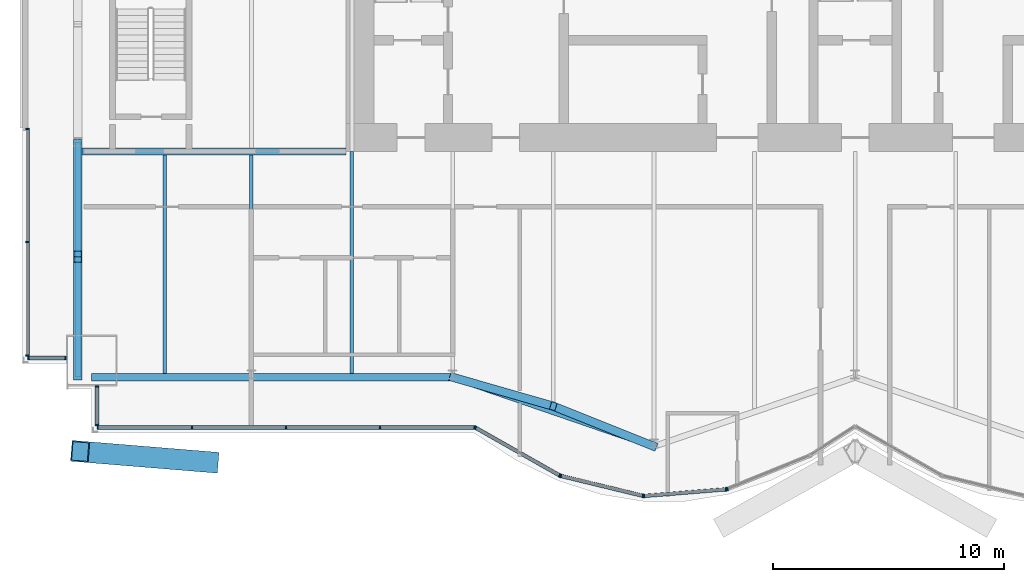
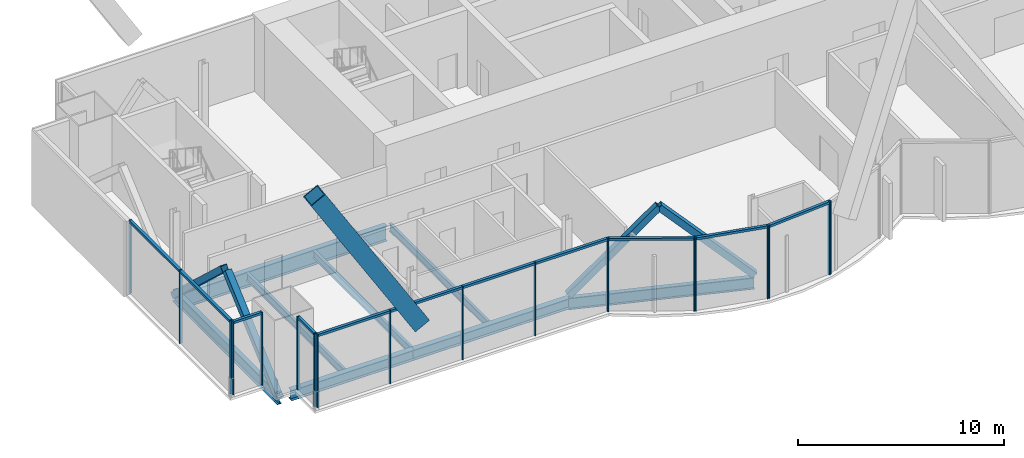
# One storey, part 3 of 17: 35 members, 8 beams, 5 elements without a shape of their own.
"""IFC4 building model written with IfcOpenShell, lengths in metres."""

from ifc_helpers import new_model, si_unit, direction, frame, origin, origin_2d, place, context, subcontext, project, spatial, rectangle, hollow_rectangle, i_section, extrude, material, material_profile, profile_set, type_object, element, aggregate, save


model = new_model("IFC4")

# Units and contexts
model_context = context("Model", 3, precision=1e-05, world=origin(), true_north=direction((0.0, 1.0)))
body_context = subcontext(model_context, "Body", "Model", "MODEL_VIEW")
ifc_project = project(units=[si_unit("LENGTHUNIT", "METRE"), si_unit("AREAUNIT", "SQUARE_METRE"), si_unit("VOLUMEUNIT", "CUBIC_METRE"), si_unit("PLANEANGLEUNIT", "RADIAN"), si_unit("MASSUNIT", "GRAM", prefix="KILO")], contexts=[model_context])

# Site, building, storey
site_placement = place(None, origin())
site = spatial("IfcSite", under=ifc_project, at=site_placement, CompositionType="ELEMENT")
building_placement = place(site_placement, origin())
building = spatial("IfcBuilding", under=site, at=building_placement, Name="Bicima Exchange Tower", CompositionType="ELEMENT")
storey_placement = place(building_placement, frame((0.0, 0.0, 333.5)))
storey = spatial("IfcBuildingStorey", under=building, at=storey_placement, Name="L75", CompositionType="ELEMENT", Elevation=333.5)

# Beam
ifc_material_1 = material(Name="Steel ASTM A992 Gr 50", Category="steel")
ifc_material_profile_1 = material_profile(ifc_material_1, i_section(OverallWidth=0.3046875, OverallDepth=0.911865234375, WebThickness=0.015869140625, FlangeThickness=0.02392578125, at=origin_2d()))
ifc_profile_set_1 = profile_set([ifc_material_profile_1], Name="Steel ASTM A992 Gr 50")
beam_type_1 = type_object("IfcBeamType", Name="Core-line girder W36x150", PredefinedType="BEAM", material=ifc_profile_set_1)
beam_1_placement = place(storey_placement, frame((-22.0, -13.0, -0.60595703125), z_axis=(-1.0, 0.0, 0.0), x_axis=(0.0, -1.0, 0.0)))
element("IfcBeam", 1, at=beam_1_placement, inside=storey, type_object=beam_type_1, Name="Core-line girder", PredefinedType="BEAM", context=body_context, shape_type="SweptSolid", body=[
    extrude(i_section(OverallWidth=0.3046875, OverallDepth=0.911865234375, WebThickness=0.015869140625, FlangeThickness=0.02392578125, at=origin_2d()), origin(), (0.0, 0.0, 1.0), 11.60009765625),
])

# Curtain wall, members
ifc_material_2 = material(Name="Anodised bronze aluminium", Category="aluminium")
curtain_wall_type_1 = type_object("IfcCurtainWallType", Name="End face glass wall", PredefinedType="NOTDEFINED", material=ifc_material_2)
curtain_wall_1_placement = place(storey_placement, origin())
curtain_wall_1 = element("IfcCurtainWall", 2, at=curtain_wall_1_placement, inside=storey, type_object=curtain_wall_type_1, Name="End face glass wall L75 run 2", PredefinedType="NOTDEFINED")
ifc_material_profile_2 = material_profile(ifc_material_2, rectangle(XDim=0.159912109375, YDim=0.06005859375, at=origin_2d()))
ifc_profile_set_2 = profile_set([ifc_material_profile_2], Name="Anodised bronze aluminium")
member_type_1 = type_object("IfcMemberType", Name="End face glass wall mullion 60 x 160", PredefinedType="MULLION", material=ifc_profile_set_2)
member_1_placement = place(storey_placement, frame((-35.77001953125, -12.030029296875, 0.0), z_axis=(0.0, 0.0, 1.0), x_axis=(1.0, 0.0, 0.0)))
member_1 = element("IfcMember", 3, at=member_1_placement, type_object=member_type_1, Name="End face glass wall mullion 1", PredefinedType="MULLION", context=body_context, shape_type="SweptSolid", body=[
    extrude(rectangle(XDim=0.159912109375, YDim=0.06005859375, at=origin_2d()), origin(), (0.0, 0.0, 1.0), 4.35009765625),
])
member_2_placement = place(storey_placement, frame((-35.77001953125, -16.927001953125, 0.0), z_axis=(0.0, 0.0, 1.0), x_axis=(1.0, 0.0, 0.0)))
member_2 = element("IfcMember", 4, at=member_2_placement, type_object=member_type_1, Name="End face glass wall mullion 2", PredefinedType="MULLION", context=body_context, shape_type="SweptSolid", body=[
    extrude(rectangle(XDim=0.159912109375, YDim=0.06005859375, at=origin_2d()), origin(), (0.0, 0.0, 1.0), 4.35009765625),
])
member_3_placement = place(storey_placement, frame((-35.77001953125, -21.823974609375, 0.0), z_axis=(0.0, 0.0, 1.0), x_axis=(1.0, 0.0, 0.0)))
member_3 = element("IfcMember", 5, at=member_3_placement, type_object=member_type_1, Name="End face glass wall mullion 3", PredefinedType="MULLION", context=body_context, shape_type="SweptSolid", body=[
    extrude(rectangle(XDim=0.159912109375, YDim=0.06005859375, at=origin_2d()), origin(), (0.0, 0.0, 1.0), 4.35009765625),
])
ifc_material_profile_3 = material_profile(ifc_material_2, rectangle(XDim=0.159912109375, YDim=0.139892578125, at=origin_2d()))
ifc_profile_set_3 = profile_set([ifc_material_profile_3], Name="Anodised bronze aluminium")
member_type_2 = type_object("IfcMemberType", Name="End face glass wall transom 140 x 160", PredefinedType="USERDEFINED", material=ifc_profile_set_3)
member_4_placement = place(storey_placement, frame((-35.77001953125, -12.06005859375, 4.280029296875), z_axis=(0.0, -1.0, 0.0), x_axis=(1.0, 0.0, 0.0)))
member_4 = element("IfcMember", 6, at=member_4_placement, type_object=member_type_2, Name="End face glass wall transom 1.1", ObjectType="TRANSOM", PredefinedType="USERDEFINED", context=body_context, shape_type="SweptSolid", body=[
    extrude(rectangle(XDim=0.159912109375, YDim=0.139892578125, at=origin_2d()), origin(), (0.0, 0.0, 1.0), 4.8369140625),
])
member_5_placement = place(storey_placement, frame((-35.77001953125, -16.95703125, 4.280029296875), z_axis=(0.0, -1.0, 0.0), x_axis=(1.0, 0.0, 0.0)))
member_5 = element("IfcMember", 7, at=member_5_placement, type_object=member_type_2, Name="End face glass wall transom 2.1", ObjectType="TRANSOM", PredefinedType="USERDEFINED", context=body_context, shape_type="SweptSolid", body=[
    extrude(rectangle(XDim=0.159912109375, YDim=0.139892578125, at=origin_2d()), origin(), (0.0, 0.0, 1.0), 4.8369140625),
])
aggregate(curtain_wall_1, [member_1, member_2, member_3, member_4, member_5])

# Beam
ifc_material_profile_4 = material_profile(ifc_material_1, i_section(OverallWidth=0.256591796875, OverallDepth=0.693359375, WebThickness=0.014404296875, FlangeThickness=0.023681640625, at=origin_2d()))
ifc_profile_set_4 = profile_set([ifc_material_profile_4], Name="Steel ASTM A992 Gr 50")
beam_type_2 = type_object("IfcBeamType", Name="End girder W27x114", PredefinedType="BEAM", material=ifc_profile_set_4)
beam_2_placement = place(storey_placement, frame((-33.60009765625, -12.60009765625, -0.49658203125), z_axis=(0.0, -1.0, 0.0), x_axis=(1.0, 0.0, 0.0)))
element("IfcBeam", 8, at=beam_2_placement, inside=storey, type_object=beam_type_2, Name="End girder", PredefinedType="BEAM", context=body_context, shape_type="SweptSolid", body=[
    extrude(i_section(OverallWidth=0.256591796875, OverallDepth=0.693359375, WebThickness=0.014404296875, FlangeThickness=0.023681640625, at=origin_2d()), origin(), (0.0, 0.0, 1.0), 10.163818359375),
])

# Member
ifc_material_3 = material(Name="Steel ASTM A572 Gr 50", Category="steel")
ifc_material_profile_5 = material_profile(ifc_material_3, hollow_rectangle(XDim=0.89990234375, YDim=0.89990234375, WallThickness=0.050048828125, at=origin_2d()))
ifc_profile_set_5 = profile_set([ifc_material_profile_5], Name="Steel ASTM A572 Gr 50")
member_type_3 = type_object("IfcMemberType", Name="Exo mega brace BOX 900x900x50", PredefinedType="BRACE", material=ifc_profile_set_5)
member_6_placement = place(storey_placement, frame((-27.916748046875, -26.430419921875, 4.308349609375), z_axis=(-0.520756137154, 0.042491186844, 0.852647374157), x_axis=(-0.081324900282, -0.996687644447, 0.0)))
element("IfcMember", 9, at=member_6_placement, inside=storey, type_object=member_type_3, Name="Exo mega brace front", PredefinedType="BRACE", context=body_context, shape_type="SweptSolid", body=[
    extrude(hollow_rectangle(XDim=0.89990234375, YDim=0.89990234375, WallThickness=0.050048828125, at=origin_2d()), origin(), (0.0, 0.0, 1.0), 10.721435546875),
])

# Beams
ifc_material_profile_6 = material_profile(ifc_material_1, i_section(OverallWidth=0.15283203125, OverallDepth=0.45458984375, WebThickness=0.008056640625, FlangeThickness=0.013427734375, at=origin_2d()))
ifc_profile_set_6 = profile_set([ifc_material_profile_6], Name="Steel ASTM A992 Gr 50")
beam_type_3 = type_object("IfcBeamType", Name="Floor beam W18x40", PredefinedType="JOIST", material=ifc_profile_set_6)
for number, where, z_axis, x_axis, name in (
    (10, (-29.85009765625, -13.15234375, -0.377197265625), (0.0, -1.0, 0.0), (1.0, 0.0, 0.0), "Floor beam"),
    (11, (-26.10009765625, -13.15234375, -0.377197265625), (0.0, -1.0, 0.0), (1.0, 0.0, 0.0), "Floor beam"),
):
    element("IfcBeam", number, at=place(storey_placement, frame(where, z_axis=z_axis, x_axis=x_axis)), inside=storey, type_object=beam_type_3, Name=name, PredefinedType="JOIST", context=body_context, shape_type="SweptSolid", body=[
        extrude(i_section(OverallWidth=0.15283203125, OverallDepth=0.45458984375, WebThickness=0.008056640625, FlangeThickness=0.013427734375, at=origin_2d()), origin(), (0.0, 0.0, 1.0), 9.448974609375),
    ])
beam_3_placement = place(storey_placement, frame((-21.75, -13.0, -0.377197265625), z_axis=(0.0, -1.0, 0.0), x_axis=(1.0, 0.0, 0.0)))
element("IfcBeam", 12, at=beam_3_placement, inside=storey, type_object=beam_type_3, Name="Floor beam", PredefinedType="JOIST", context=body_context, shape_type="SweptSolid", body=[
    extrude(i_section(OverallWidth=0.15283203125, OverallDepth=0.45458984375, WebThickness=0.008056640625, FlangeThickness=0.013427734375, at=origin_2d()), origin(), (0.0, 0.0, 1.0), 9.601318359375),
])
ifc_material_profile_7 = material_profile(ifc_material_1, i_section(OverallWidth=0.3251953125, OverallDepth=0.612060546875, WebThickness=0.0126953125, FlangeThickness=0.01904296875, at=origin_2d()))
ifc_profile_set_7 = profile_set([ifc_material_profile_7], Name="Steel ASTM A992 Gr 50")
beam_type_4 = type_object("IfcBeamType", Name="Front girder W24x104", PredefinedType="BEAM", material=ifc_profile_set_7)
beam_4_placement = place(storey_placement, frame((-33.0, -22.763916015625, -0.4560546875), z_axis=(1.0, 0.0, 0.0), x_axis=(0.0, 1.0, 0.0)))
element("IfcBeam", 13, at=beam_4_placement, inside=storey, type_object=beam_type_4, Name="Front girder", PredefinedType="BEAM", context=body_context, shape_type="SweptSolid", body=[
    extrude(i_section(OverallWidth=0.3251953125, OverallDepth=0.612060546875, WebThickness=0.0126953125, FlangeThickness=0.01904296875, at=origin_2d()), origin(), (0.0, 0.0, 1.0), 6.89990234375),
])
beam_5_placement = place(storey_placement, frame((-26.10009765625, -22.763916015625, -0.4560546875), z_axis=(1.0, 0.0, 0.0), x_axis=(0.0, 1.0, 0.0)))
element("IfcBeam", 14, at=beam_5_placement, inside=storey, type_object=beam_type_4, Name="Front girder", PredefinedType="BEAM", context=body_context, shape_type="SweptSolid", body=[
    extrude(i_section(OverallWidth=0.3251953125, OverallDepth=0.612060546875, WebThickness=0.0126953125, FlangeThickness=0.01904296875, at=origin_2d()), origin(), (0.0, 0.0, 1.0), 8.7001953125),
])
beam_type_5 = type_object("IfcBeamType", Name="Front girder W27x114", PredefinedType="BEAM", material=ifc_profile_set_4)
beam_6_placement = place(storey_placement, frame((-17.39990234375, -22.763916015625, -0.49658203125), z_axis=(0.945666456746, -0.325138359143, 0.0), x_axis=(0.325138359143, 0.945666456746, 0.0)))
element("IfcBeam", 15, at=beam_6_placement, inside=storey, type_object=beam_type_5, Name="Front girder", PredefinedType="BEAM", context=body_context, shape_type="SweptSolid", body=[
    extrude(i_section(OverallWidth=0.256591796875, OverallDepth=0.693359375, WebThickness=0.014404296875, FlangeThickness=0.023681640625, at=origin_2d()), origin(), (0.0, 0.0, 1.0), 9.19970703125),
])

# Curtain wall, members
curtain_wall_type_2 = type_object("IfcCurtainWallType", Name="Front glass wall", PredefinedType="NOTDEFINED", material=ifc_material_2)
curtain_wall_2_placement = place(storey_placement, origin())
curtain_wall_2 = element("IfcCurtainWall", 16, at=curtain_wall_2_placement, inside=storey, type_object=curtain_wall_type_2, Name="Front glass wall L75 run 3", PredefinedType="NOTDEFINED")
member_type_4 = type_object("IfcMemberType", Name="Front glass wall mullion 60 x 160", PredefinedType="MULLION", material=ifc_profile_set_2)
member_7_placement = place(storey_placement, frame((-35.739990234375, -21.93408203125, 0.0), z_axis=(0.0, 0.0, 1.0), x_axis=(0.0, 1.0, 0.0)))
member_7 = element("IfcMember", 17, at=member_7_placement, type_object=member_type_4, Name="Front glass wall mullion 1", PredefinedType="MULLION", context=body_context, shape_type="SweptSolid", body=[
    extrude(rectangle(XDim=0.159912109375, YDim=0.06005859375, at=origin_2d()), origin(), (0.0, 0.0, 1.0), 4.35009765625),
])
member_8_placement = place(storey_placement, frame((-34.1298828125, -21.93408203125, 0.0), z_axis=(0.0, 0.0, 1.0), x_axis=(0.0, 1.0, 0.0)))
member_8 = element("IfcMember", 18, at=member_8_placement, type_object=member_type_4, Name="Front glass wall mullion 2", PredefinedType="MULLION", context=body_context, shape_type="SweptSolid", body=[
    extrude(rectangle(XDim=0.159912109375, YDim=0.06005859375, at=origin_2d()), origin(), (0.0, 0.0, 1.0), 4.35009765625),
])

curtain_wall_3_placement = place(storey_placement, origin())
curtain_wall_3 = element("IfcCurtainWall", 19, at=curtain_wall_3_placement, inside=storey, type_object=curtain_wall_type_2, Name="Front glass wall L75 run 4", PredefinedType="NOTDEFINED")
member_9_placement = place(storey_placement, frame((-32.77001953125, -23.172119140625, 0.0), z_axis=(0.0, 0.0, 1.0), x_axis=(1.0, 0.0, 0.0)))
member_9 = element("IfcMember", 20, at=member_9_placement, type_object=member_type_4, Name="Front glass wall mullion 1", PredefinedType="MULLION", context=body_context, shape_type="SweptSolid", body=[
    extrude(rectangle(XDim=0.159912109375, YDim=0.06005859375, at=origin_2d()), origin(), (0.0, 0.0, 1.0), 4.35009765625),
])
member_10_placement = place(storey_placement, frame((-32.77001953125, -24.823974609375, 0.0), z_axis=(0.0, 0.0, 1.0), x_axis=(1.0, 0.0, 0.0)))
member_10 = element("IfcMember", 21, at=member_10_placement, type_object=member_type_4, Name="Front glass wall mullion 2", PredefinedType="MULLION", context=body_context, shape_type="SweptSolid", body=[
    extrude(rectangle(XDim=0.159912109375, YDim=0.06005859375, at=origin_2d()), origin(), (0.0, 0.0, 1.0), 4.35009765625),
])

curtain_wall_4_placement = place(storey_placement, origin())
curtain_wall_4 = element("IfcCurtainWall", 22, at=curtain_wall_4_placement, inside=storey, type_object=curtain_wall_type_2, Name="Front glass wall L75 run 5", PredefinedType="NOTDEFINED")
member_11_placement = place(storey_placement, frame((-32.739990234375, -24.93408203125, 0.0), z_axis=(0.0, 0.0, 1.0), x_axis=(0.0, 1.0, 0.0)))
member_11 = element("IfcMember", 23, at=member_11_placement, type_object=member_type_4, Name="Front glass wall mullion 1", PredefinedType="MULLION", context=body_context, shape_type="SweptSolid", body=[
    extrude(rectangle(XDim=0.159912109375, YDim=0.06005859375, at=origin_2d()), origin(), (0.0, 0.0, 1.0), 4.35009765625),
])
member_12_placement = place(storey_placement, frame((-28.67041015625, -24.93408203125, 0.0), z_axis=(0.0, 0.0, 1.0), x_axis=(0.0, 1.0, 0.0)))
member_12 = element("IfcMember", 24, at=member_12_placement, type_object=member_type_4, Name="Front glass wall mullion 2", PredefinedType="MULLION", context=body_context, shape_type="SweptSolid", body=[
    extrude(rectangle(XDim=0.159912109375, YDim=0.06005859375, at=origin_2d()), origin(), (0.0, 0.0, 1.0), 4.35009765625),
])
member_13_placement = place(storey_placement, frame((-24.60107421875, -24.93408203125, 0.0), z_axis=(0.0, 0.0, 1.0), x_axis=(0.0, 1.0, 0.0)))
member_13 = element("IfcMember", 25, at=member_13_placement, type_object=member_type_4, Name="Front glass wall mullion 3", PredefinedType="MULLION", context=body_context, shape_type="SweptSolid", body=[
    extrude(rectangle(XDim=0.159912109375, YDim=0.06005859375, at=origin_2d()), origin(), (0.0, 0.0, 1.0), 4.35009765625),
])
member_14_placement = place(storey_placement, frame((-20.531494140625, -24.93408203125, 0.0), z_axis=(0.0, 0.0, 1.0), x_axis=(0.0, 1.0, 0.0)))
member_14 = element("IfcMember", 26, at=member_14_placement, type_object=member_type_4, Name="Front glass wall mullion 4", PredefinedType="MULLION", context=body_context, shape_type="SweptSolid", body=[
    extrude(rectangle(XDim=0.159912109375, YDim=0.06005859375, at=origin_2d()), origin(), (0.0, 0.0, 1.0), 4.35009765625),
])
member_15_placement = place(storey_placement, frame((-16.462158203125, -24.93408203125, 0.0), z_axis=(0.0, 0.0, 1.0), x_axis=(0.0, 1.0, 0.0)))
member_15 = element("IfcMember", 27, at=member_15_placement, type_object=member_type_4, Name="Front glass wall mullion 5", PredefinedType="MULLION", context=body_context, shape_type="SweptSolid", body=[
    extrude(rectangle(XDim=0.159912109375, YDim=0.06005859375, at=origin_2d()), origin(), (0.0, 0.0, 1.0), 4.35009765625),
])

curtain_wall_5_placement = place(storey_placement, origin())
curtain_wall_5 = element("IfcCurtainWall", 28, at=curtain_wall_5_placement, inside=storey, type_object=curtain_wall_type_2, Name="Front glass wall L75 run 6", PredefinedType="NOTDEFINED")
member_16_placement = place(storey_placement, frame((-16.406005859375, -24.94873046875, 0.0), z_axis=(0.0, 0.0, 1.0), x_axis=(0.493395449343, 0.869805110681, 0.0)))
member_16 = element("IfcMember", 29, at=member_16_placement, type_object=member_type_4, Name="Front glass wall mullion 1", PredefinedType="MULLION", context=body_context, shape_type="SweptSolid", body=[
    extrude(rectangle(XDim=0.159912109375, YDim=0.06005859375, at=origin_2d()), origin(), (0.0, 0.0, 1.0), 4.35009765625),
])
member_17_placement = place(storey_placement, frame((-12.7734375, -27.009521484375, 0.0), z_axis=(0.0, 0.0, 1.0), x_axis=(0.493395449343, 0.869805110681, 0.0)))
member_17 = element("IfcMember", 30, at=member_17_placement, type_object=member_type_4, Name="Front glass wall mullion 2", PredefinedType="MULLION", context=body_context, shape_type="SweptSolid", body=[
    extrude(rectangle(XDim=0.159912109375, YDim=0.06005859375, at=origin_2d()), origin(), (0.0, 0.0, 1.0), 4.35009765625),
])
member_18_placement = place(storey_placement, frame((-12.718017578125, -27.03125, 0.0), z_axis=(0.0, 0.0, 1.0), x_axis=(0.235681529503, 0.971830343553, 0.0)))
member_18 = element("IfcMember", 31, at=member_18_placement, type_object=member_type_4, Name="Front glass wall mullion 1", PredefinedType="MULLION", context=body_context, shape_type="SweptSolid", body=[
    extrude(rectangle(XDim=0.159912109375, YDim=0.06005859375, at=origin_2d()), origin(), (0.0, 0.0, 1.0), 4.35009765625),
])
member_19_placement = place(storey_placement, frame((-9.177490234375, -27.889892578125, 0.0), z_axis=(0.0, 0.0, 1.0), x_axis=(0.235681529503, 0.971830343553, 0.0)))
member_19 = element("IfcMember", 32, at=member_19_placement, type_object=member_type_4, Name="Front glass wall mullion 2", PredefinedType="MULLION", context=body_context, shape_type="SweptSolid", body=[
    extrude(rectangle(XDim=0.159912109375, YDim=0.06005859375, at=origin_2d()), origin(), (0.0, 0.0, 1.0), 4.35009765625),
])
member_20_placement = place(storey_placement, frame((-9.118408203125, -27.89453125, 0.0), z_axis=(0.0, 0.0, 1.0), x_axis=(-0.080588612633, 0.99674744821, 0.0)))
member_20 = element("IfcMember", 33, at=member_20_placement, type_object=member_type_4, Name="Front glass wall mullion 1", PredefinedType="MULLION", context=body_context, shape_type="SweptSolid", body=[
    extrude(rectangle(XDim=0.159912109375, YDim=0.06005859375, at=origin_2d()), origin(), (0.0, 0.0, 1.0), 4.35009765625),
])
member_21_placement = place(storey_placement, frame((-5.583984375, -27.60888671875, 0.0), z_axis=(0.0, 0.0, 1.0), x_axis=(-0.080588612633, 0.99674744821, 0.0)))
member_21 = element("IfcMember", 34, at=member_21_placement, type_object=member_type_4, Name="Front glass wall mullion 2", PredefinedType="MULLION", context=body_context, shape_type="SweptSolid", body=[
    extrude(rectangle(XDim=0.159912109375, YDim=0.06005859375, at=origin_2d()), origin(), (0.0, 0.0, 1.0), 4.35009765625),
])
member_22_placement = place(storey_placement, frame((-5.526123046875, -27.59521484375, 0.0), z_axis=(0.0, 0.0, 1.0), x_axis=(-0.374705304, 0.92714396679, 0.0)))
member_22 = element("IfcMember", 35, at=member_22_placement, type_object=member_type_4, Name="Front glass wall mullion 1", PredefinedType="MULLION", context=body_context, shape_type="SweptSolid", body=[
    extrude(rectangle(XDim=0.159912109375, YDim=0.06005859375, at=origin_2d()), origin(), (0.0, 0.0, 1.0), 4.35009765625),
])

# Member
member_type_5 = type_object("IfcMemberType", Name="Front glass wall transom 140 x 160", PredefinedType="USERDEFINED", material=ifc_profile_set_3)
member_23_placement = place(storey_placement, frame((-35.7099609375, -21.93408203125, 4.280029296875), z_axis=(1.0, 0.0, 0.0), x_axis=(0.0, 1.0, 0.0)))
member_23 = element("IfcMember", 36, at=member_23_placement, type_object=member_type_5, Name="Front glass wall transom 1.1", ObjectType="TRANSOM", PredefinedType="USERDEFINED", context=body_context, shape_type="SweptSolid", body=[
    extrude(rectangle(XDim=0.159912109375, YDim=0.139892578125, at=origin_2d()), origin(), (0.0, 0.0, 1.0), 1.550048828125),
])

aggregate(curtain_wall_2, [member_7, member_8, member_23])

member_24_placement = place(storey_placement, frame((-32.77001953125, -23.201904296875, 4.280029296875), z_axis=(0.0, -1.0, 0.0), x_axis=(1.0, 0.0, 0.0)))
member_24 = element("IfcMember", 37, at=member_24_placement, type_object=member_type_5, Name="Front glass wall transom 1.1", ObjectType="TRANSOM", PredefinedType="USERDEFINED", context=body_context, shape_type="SweptSolid", body=[
    extrude(rectangle(XDim=0.159912109375, YDim=0.139892578125, at=origin_2d()), origin(), (0.0, 0.0, 1.0), 1.592041015625),
])

aggregate(curtain_wall_3, [member_9, member_10, member_24])

member_25_placement = place(storey_placement, frame((-32.7099609375, -24.93408203125, 4.280029296875), z_axis=(1.0, 0.0, 0.0), x_axis=(0.0, 1.0, 0.0)))
member_25 = element("IfcMember", 38, at=member_25_placement, type_object=member_type_5, Name="Front glass wall transom 1.1", ObjectType="TRANSOM", PredefinedType="USERDEFINED", context=body_context, shape_type="SweptSolid", body=[
    extrude(rectangle(XDim=0.159912109375, YDim=0.139892578125, at=origin_2d()), origin(), (0.0, 0.0, 1.0), 4.009521484375),
])

member_26_placement = place(storey_placement, frame((-28.640380859375, -24.93408203125, 4.280029296875), z_axis=(1.0, 0.0, 0.0), x_axis=(0.0, 1.0, 0.0)))
member_26 = element("IfcMember", 39, at=member_26_placement, type_object=member_type_5, Name="Front glass wall transom 2.1", ObjectType="TRANSOM", PredefinedType="USERDEFINED", context=body_context, shape_type="SweptSolid", body=[
    extrude(rectangle(XDim=0.159912109375, YDim=0.139892578125, at=origin_2d()), origin(), (0.0, 0.0, 1.0), 4.00927734375),
])

member_27_placement = place(storey_placement, frame((-24.571044921875, -24.93408203125, 4.280029296875), z_axis=(1.0, 0.0, 0.0), x_axis=(0.0, 1.0, 0.0)))
member_27 = element("IfcMember", 40, at=member_27_placement, type_object=member_type_5, Name="Front glass wall transom 3.1", ObjectType="TRANSOM", PredefinedType="USERDEFINED", context=body_context, shape_type="SweptSolid", body=[
    extrude(rectangle(XDim=0.159912109375, YDim=0.139892578125, at=origin_2d()), origin(), (0.0, 0.0, 1.0), 4.009521484375),
])

member_28_placement = place(storey_placement, frame((-20.501708984375, -24.93408203125, 4.280029296875), z_axis=(1.0, 0.0, 0.0), x_axis=(0.0, 1.0, 0.0)))
member_28 = element("IfcMember", 41, at=member_28_placement, type_object=member_type_5, Name="Front glass wall transom 4.1", ObjectType="TRANSOM", PredefinedType="USERDEFINED", context=body_context, shape_type="SweptSolid", body=[
    extrude(rectangle(XDim=0.159912109375, YDim=0.139892578125, at=origin_2d()), origin(), (0.0, 0.0, 1.0), 4.009521484375),
])

aggregate(curtain_wall_4, [member_11, member_12, member_13, member_14, member_15, member_25, member_26, member_27, member_28])

member_29_placement = place(storey_placement, frame((-16.3798828125, -24.963623046875, 4.280029296875), z_axis=(0.869797371721, -0.49340909208, 0.0), x_axis=(0.49340909208, 0.869797371721, 0.0)))
member_29 = element("IfcMember", 42, at=member_29_placement, type_object=member_type_5, Name="Front glass wall transom 1.1", ObjectType="TRANSOM", PredefinedType="USERDEFINED", context=body_context, shape_type="SweptSolid", body=[
    extrude(rectangle(XDim=0.159912109375, YDim=0.139892578125, at=origin_2d()), origin(), (0.0, 0.0, 1.0), 4.1162109375),
])

member_30_placement = place(storey_placement, frame((-12.68896484375, -27.038330078125, 4.280029296875), z_axis=(0.971833557815, -0.235668275132, 0.0), x_axis=(0.235668275132, 0.971833557815, 0.0)))
member_30 = element("IfcMember", 43, at=member_30_placement, type_object=member_type_5, Name="Front glass wall transom 1.1", ObjectType="TRANSOM", PredefinedType="USERDEFINED", context=body_context, shape_type="SweptSolid", body=[
    extrude(rectangle(XDim=0.159912109375, YDim=0.139892578125, at=origin_2d()), origin(), (0.0, 0.0, 1.0), 3.583251953125),
])

member_31_placement = place(storey_placement, frame((-9.08837890625, -27.89208984375, 4.280029296875), z_axis=(0.9967456465, 0.080610893699, 0.0), x_axis=(-0.080610893699, 0.9967456465, 0.0)))
member_31 = element("IfcMember", 44, at=member_31_placement, type_object=member_type_5, Name="Front glass wall transom 1.1", ObjectType="TRANSOM", PredefinedType="USERDEFINED", context=body_context, shape_type="SweptSolid", body=[
    extrude(rectangle(XDim=0.159912109375, YDim=0.139892578125, at=origin_2d()), origin(), (0.0, 0.0, 1.0), 3.48583984375),
])

aggregate(curtain_wall_5, [member_16, member_17, member_29, member_18, member_19, member_30, member_20, member_21, member_31, member_22])

# Members
ifc_material_profile_8 = material_profile(ifc_material_3, hollow_rectangle(XDim=0.355712890625, YDim=0.355712890625, WallThickness=0.01171875, at=origin_2d()))
ifc_profile_set_8 = profile_set([ifc_material_profile_8], Name="Steel ASTM A572 Gr 50")
member_type_6 = type_object("IfcMemberType", Name="Mega brace HSS14x14x1/2", PredefinedType="BRACE", material=ifc_profile_set_8)
member_32_placement = place(storey_placement, frame((-17.39990234375, -22.763916015625, 0.0), z_axis=(0.681519101026, -0.196074923492, 0.705043501718), x_axis=(0.27648739579, 0.961017544049, 0.0)))
element("IfcMember", 45, at=member_32_placement, inside=storey, type_object=member_type_6, Name="Mega brace front", PredefinedType="BRACE", context=body_context, shape_type="SweptSolid", body=[
    extrude(hollow_rectangle(XDim=0.355712890625, YDim=0.355712890625, WallThickness=0.01171875, at=origin_2d()), origin(), (0.0, 0.0, 1.0), 6.382568359375),
])
member_33_placement = place(storey_placement, frame((-8.699951171875, -25.755126953125, 0.0), z_axis=(-0.669641624162, 0.267811550891, 0.692717163349), x_axis=(-0.3713367687, -0.928498252132, 0.0)))
element("IfcMember", 46, at=member_33_placement, inside=storey, type_object=member_type_6, Name="Mega brace front", PredefinedType="BRACE", context=body_context, shape_type="SweptSolid", body=[
    extrude(hollow_rectangle(XDim=0.355712890625, YDim=0.355712890625, WallThickness=0.01171875, at=origin_2d()), origin(), (0.0, 0.0, 1.0), 6.49609375),
])
member_34_placement = place(storey_placement, frame((-33.60009765625, -12.60009765625, -0.49658203125), z_axis=(0.0, -0.732214163976, 0.681074458538), x_axis=(1.0, 0.0, 0.0)))
element("IfcMember", 47, at=member_34_placement, inside=storey, type_object=member_type_6, Name="Mega brace west end", PredefinedType="BRACE", context=body_context, shape_type="SweptSolid", body=[
    extrude(hollow_rectangle(XDim=0.355712890625, YDim=0.355712890625, WallThickness=0.01171875, at=origin_2d()), origin(), (0.0, 0.0, 1.0), 6.607177734375),
])
member_35_placement = place(storey_placement, frame((-33.60009765625, -22.763916015625, -0.49658203125), z_axis=(0.0, 0.748677941398, 0.662933888155), x_axis=(-1.0, 0.0, 0.0)))
element("IfcMember", 48, at=member_35_placement, inside=storey, type_object=member_type_6, Name="Mega brace west end", PredefinedType="BRACE", context=body_context, shape_type="SweptSolid", body=[
    extrude(hollow_rectangle(XDim=0.355712890625, YDim=0.355712890625, WallThickness=0.01171875, at=origin_2d()), origin(), (0.0, 0.0, 1.0), 6.7880859375),
])

save(model, "model.ifc")
